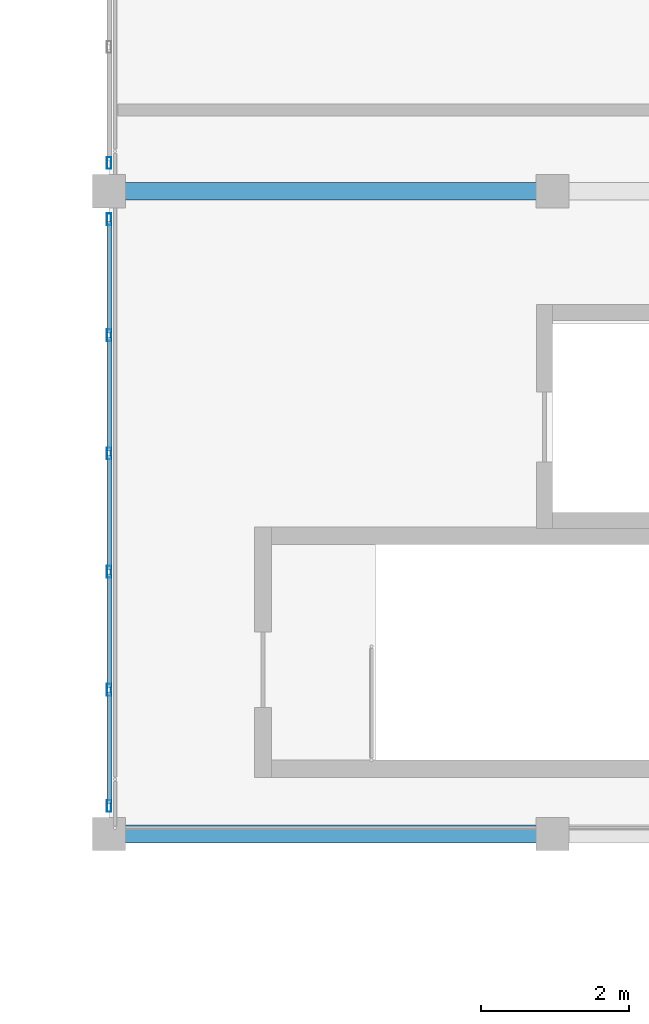
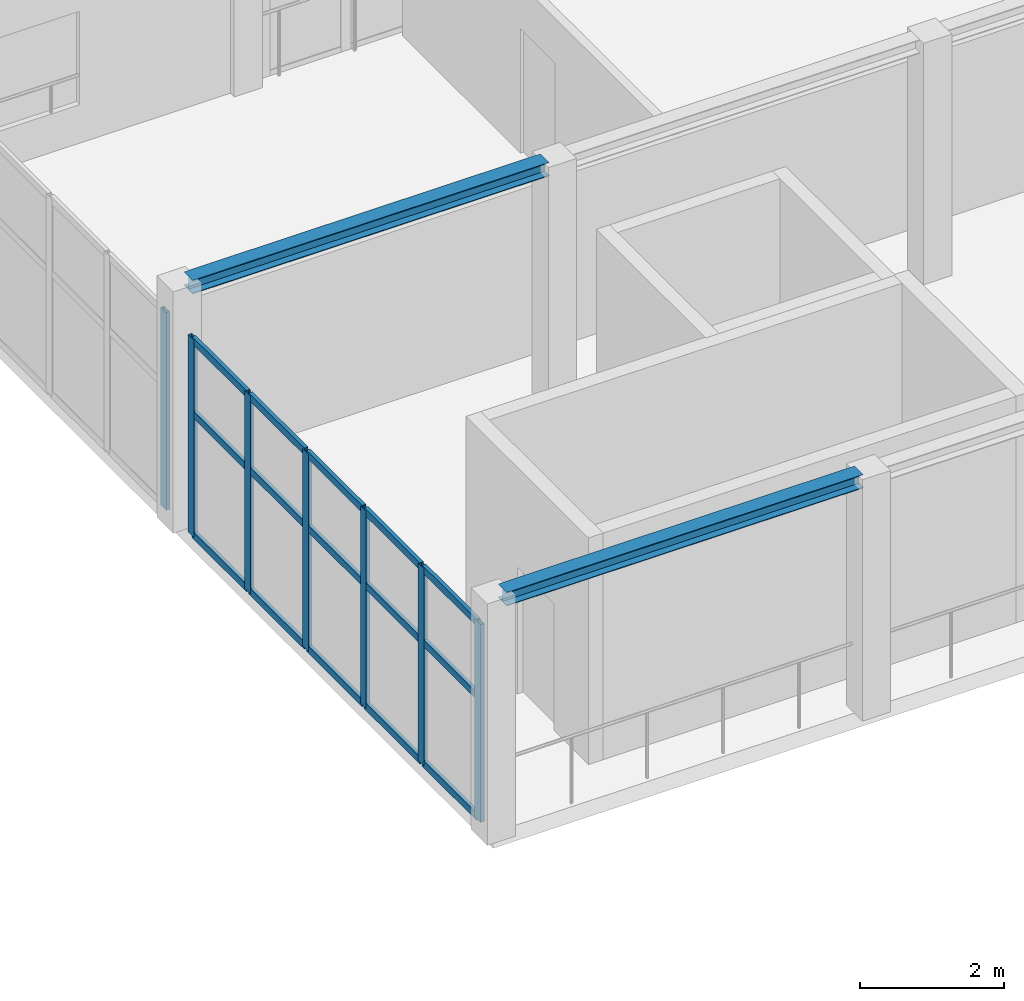
# One storey, part 45 of 128: 22 members, 2 beams, 2 elements without a shape of their own.
"""IFC4 building model written with IfcOpenShell, lengths in metres."""

from ifc_helpers import new_model, si_unit, direction, frame, origin, origin_2d, place, context, subcontext, project, spatial, hollow_rectangle, i_section, extrude, material, material_profile, profile_set, type_object, element, aggregate, save


model = new_model("IFC4")

# Units and contexts
model_context = context("Model", 3, precision=1e-05, world=origin(), true_north=direction((0.0, 1.0)))
body_context = subcontext(model_context, "Body", "Model", "MODEL_VIEW")
ifc_project = project(units=[si_unit("LENGTHUNIT", "METRE"), si_unit("AREAUNIT", "SQUARE_METRE"), si_unit("VOLUMEUNIT", "CUBIC_METRE"), si_unit("PLANEANGLEUNIT", "RADIAN"), si_unit("MASSUNIT", "GRAM", prefix="KILO")], contexts=[model_context])

# Site, building, storey
site_placement = place(None, origin())
site = spatial("IfcSite", under=ifc_project, at=site_placement, CompositionType="ELEMENT")
building_placement = place(site_placement, origin())
building = spatial("IfcBuilding", under=site, at=building_placement, Name="Tanwirah Colonnade Gardens", CompositionType="ELEMENT")
storey_placement = place(building_placement, frame((0.0, 0.0, 4.760009765625)))
storey = spatial("IfcBuildingStorey", under=building, at=storey_placement, Name="L01", CompositionType="ELEMENT", Elevation=4.760009765625)

# Curtain wall, members
ifc_material_1 = material(Name="Bronze-anodised aluminium and solar-control low-E glass", Category="aluminium")
curtain_wall_type = type_object("IfcCurtainWallType", Name="CW-NUR", PredefinedType="NOTDEFINED", material=ifc_material_1)
curtain_wall_1_placement = place(storey_placement, origin())
curtain_wall_1 = element("IfcCurtainWall", 1, at=curtain_wall_1_placement, inside=storey, type_object=curtain_wall_type, Name="Curtain Wall CW-NUR-L01-W-1", PredefinedType="NOTDEFINED")
ifc_material_2 = material(Name="Bronze-anodised aluminium", Category="aluminium")
ifc_material_profile_1 = material_profile(ifc_material_2, hollow_rectangle(XDim=0.06005859375, YDim=0.159912109375, WallThickness=0.00390625, at=origin_2d()), Name="CW-MUL 60x160x4")
ifc_profile_set_1 = profile_set([ifc_material_profile_1], Name="Bronze-anodised aluminium")
member_type_1 = type_object("IfcMemberType", Name="CWM-60x160", PredefinedType="MULLION", material=ifc_profile_set_1)
member_1_placement = place(storey_placement, frame((78.0, 92.3798828125, 0.0), z_axis=(0.0, 0.0, 1.0), x_axis=(-1.0, 0.0, 0.0)))
member_1 = element("IfcMember", 2, at=member_1_placement, type_object=member_type_1, Name="CW-NUR mullion 1", PredefinedType="MULLION", context=body_context, shape_type="SweptSolid", body=[
    extrude(hollow_rectangle(XDim=0.06005859375, YDim=0.159912109375, WallThickness=0.00390625, at=origin_2d()), origin(), (0.0, 0.0, 1.0), 3.340087890625),
])
member_2_placement = place(storey_placement, frame((78.0, 93.949951171875, 0.0), z_axis=(0.0, 0.0, 1.0), x_axis=(-1.0, 0.0, 0.0)))
member_2 = element("IfcMember", 3, at=member_2_placement, type_object=member_type_1, Name="CW-NUR mullion 2", PredefinedType="MULLION", context=body_context, shape_type="SweptSolid", body=[
    extrude(hollow_rectangle(XDim=0.06005859375, YDim=0.159912109375, WallThickness=0.00390625, at=origin_2d()), origin(), (0.0, 0.0, 1.0), 3.340087890625),
])
member_3_placement = place(storey_placement, frame((78.0, 95.550048828125, 0.0), z_axis=(0.0, 0.0, 1.0), x_axis=(-1.0, 0.0, 0.0)))
member_3 = element("IfcMember", 4, at=member_3_placement, type_object=member_type_1, Name="CW-NUR mullion 3", PredefinedType="MULLION", context=body_context, shape_type="SweptSolid", body=[
    extrude(hollow_rectangle(XDim=0.06005859375, YDim=0.159912109375, WallThickness=0.00390625, at=origin_2d()), origin(), (0.0, 0.0, 1.0), 3.340087890625),
])
member_4_placement = place(storey_placement, frame((78.0, 97.14990234375, 0.0), z_axis=(0.0, 0.0, 1.0), x_axis=(-1.0, 0.0, 0.0)))
member_4 = element("IfcMember", 5, at=member_4_placement, type_object=member_type_1, Name="CW-NUR mullion 4", PredefinedType="MULLION", context=body_context, shape_type="SweptSolid", body=[
    extrude(hollow_rectangle(XDim=0.06005859375, YDim=0.159912109375, WallThickness=0.00390625, at=origin_2d()), origin(), (0.0, 0.0, 1.0), 3.340087890625),
])
member_5_placement = place(storey_placement, frame((78.0, 98.75, 0.0), z_axis=(0.0, 0.0, 1.0), x_axis=(-1.0, 0.0, 0.0)))
member_5 = element("IfcMember", 6, at=member_5_placement, type_object=member_type_1, Name="CW-NUR mullion 5", PredefinedType="MULLION", context=body_context, shape_type="SweptSolid", body=[
    extrude(hollow_rectangle(XDim=0.06005859375, YDim=0.159912109375, WallThickness=0.00390625, at=origin_2d()), origin(), (0.0, 0.0, 1.0), 3.340087890625),
])
member_6_placement = place(storey_placement, frame((78.0, 100.320068359375, 0.0), z_axis=(0.0, 0.0, 1.0), x_axis=(-1.0, 0.0, 0.0)))
member_6 = element("IfcMember", 7, at=member_6_placement, type_object=member_type_1, Name="CW-NUR mullion 6", PredefinedType="MULLION", context=body_context, shape_type="SweptSolid", body=[
    extrude(hollow_rectangle(XDim=0.06005859375, YDim=0.159912109375, WallThickness=0.00390625, at=origin_2d()), origin(), (0.0, 0.0, 1.0), 3.340087890625),
])

# Curtain wall, member
curtain_wall_2_placement = place(storey_placement, origin())
curtain_wall_2 = element("IfcCurtainWall", 8, at=curtain_wall_2_placement, inside=storey, type_object=curtain_wall_type, Name="Curtain Wall CW-NUR-L01-W-2", PredefinedType="NOTDEFINED")
member_7_placement = place(storey_placement, frame((78.0, 101.080078125, 0.0), z_axis=(0.0, 0.0, 1.0), x_axis=(-1.0, 0.0, 0.0)))
member_7 = element("IfcMember", 9, at=member_7_placement, type_object=member_type_1, Name="CW-NUR mullion 1", PredefinedType="MULLION", context=body_context, shape_type="SweptSolid", body=[
    extrude(hollow_rectangle(XDim=0.06005859375, YDim=0.159912109375, WallThickness=0.00390625, at=origin_2d()), origin(), (0.0, 0.0, 1.0), 3.340087890625),
])
aggregate(curtain_wall_2, [member_7])

# Member
ifc_material_profile_2 = material_profile(ifc_material_2, hollow_rectangle(XDim=0.06005859375, YDim=0.1201171875, WallThickness=0.00390625, at=origin_2d()), Name="CW-TRN 60x120x4")
ifc_profile_set_2 = profile_set([ifc_material_profile_2], Name="Bronze-anodised aluminium")
member_type_2 = type_object("IfcMemberType", Name="CWT-60x120", PredefinedType="USERDEFINED", material=ifc_profile_set_2)
member_8_placement = place(storey_placement, frame((78.0, 92.409912109375, 0.030029296875), z_axis=(0.0, 1.0, 0.0), x_axis=(-1.0, 0.0, 0.0)))
member_8 = element("IfcMember", 10, at=member_8_placement, type_object=member_type_2, Name="CW-NUR transom 1.1", ObjectType="TRANSOM", PredefinedType="USERDEFINED", context=body_context, shape_type="SweptSolid", body=[
    extrude(hollow_rectangle(XDim=0.06005859375, YDim=0.1201171875, WallThickness=0.00390625, at=origin_2d()), origin(), (0.0, 0.0, 1.0), 1.510009765625),
])

member_9_placement = place(storey_placement, frame((78.0, 92.409912109375, 2.07080078125), z_axis=(0.0, 1.0, 0.0), x_axis=(-1.0, 0.0, 0.0)))
member_9 = element("IfcMember", 11, at=member_9_placement, type_object=member_type_2, Name="CW-NUR transom 1.2", ObjectType="TRANSOM", PredefinedType="USERDEFINED", context=body_context, shape_type="SweptSolid", body=[
    extrude(hollow_rectangle(XDim=0.06005859375, YDim=0.1201171875, WallThickness=0.00390625, at=origin_2d()), origin(), (0.0, 0.0, 1.0), 1.510009765625),
])

member_10_placement = place(storey_placement, frame((78.0, 92.409912109375, 3.31005859375), z_axis=(0.0, 1.0, 0.0), x_axis=(-1.0, 0.0, 0.0)))
member_10 = element("IfcMember", 12, at=member_10_placement, type_object=member_type_2, Name="CW-NUR transom 1.3", ObjectType="TRANSOM", PredefinedType="USERDEFINED", context=body_context, shape_type="SweptSolid", body=[
    extrude(hollow_rectangle(XDim=0.06005859375, YDim=0.1201171875, WallThickness=0.00390625, at=origin_2d()), origin(), (0.0, 0.0, 1.0), 1.510009765625),
])

member_11_placement = place(storey_placement, frame((78.0, 93.97998046875, 0.030029296875), z_axis=(0.0, 1.0, 0.0), x_axis=(-1.0, 0.0, 0.0)))
member_11 = element("IfcMember", 13, at=member_11_placement, type_object=member_type_2, Name="CW-NUR transom 2.1", ObjectType="TRANSOM", PredefinedType="USERDEFINED", context=body_context, shape_type="SweptSolid", body=[
    extrude(hollow_rectangle(XDim=0.06005859375, YDim=0.1201171875, WallThickness=0.00390625, at=origin_2d()), origin(), (0.0, 0.0, 1.0), 1.5400390625),
])

member_12_placement = place(storey_placement, frame((78.0, 93.97998046875, 2.07080078125), z_axis=(0.0, 1.0, 0.0), x_axis=(-1.0, 0.0, 0.0)))
member_12 = element("IfcMember", 14, at=member_12_placement, type_object=member_type_2, Name="CW-NUR transom 2.2", ObjectType="TRANSOM", PredefinedType="USERDEFINED", context=body_context, shape_type="SweptSolid", body=[
    extrude(hollow_rectangle(XDim=0.06005859375, YDim=0.1201171875, WallThickness=0.00390625, at=origin_2d()), origin(), (0.0, 0.0, 1.0), 1.5400390625),
])

member_13_placement = place(storey_placement, frame((78.0, 93.97998046875, 3.31005859375), z_axis=(0.0, 1.0, 0.0), x_axis=(-1.0, 0.0, 0.0)))
member_13 = element("IfcMember", 15, at=member_13_placement, type_object=member_type_2, Name="CW-NUR transom 2.3", ObjectType="TRANSOM", PredefinedType="USERDEFINED", context=body_context, shape_type="SweptSolid", body=[
    extrude(hollow_rectangle(XDim=0.06005859375, YDim=0.1201171875, WallThickness=0.00390625, at=origin_2d()), origin(), (0.0, 0.0, 1.0), 1.5400390625),
])

member_14_placement = place(storey_placement, frame((78.0, 95.580078125, 0.030029296875), z_axis=(0.0, 1.0, 0.0), x_axis=(-1.0, 0.0, 0.0)))
member_14 = element("IfcMember", 16, at=member_14_placement, type_object=member_type_2, Name="CW-NUR transom 3.1", ObjectType="TRANSOM", PredefinedType="USERDEFINED", context=body_context, shape_type="SweptSolid", body=[
    extrude(hollow_rectangle(XDim=0.06005859375, YDim=0.1201171875, WallThickness=0.00390625, at=origin_2d()), origin(), (0.0, 0.0, 1.0), 1.5400390625),
])

member_15_placement = place(storey_placement, frame((78.0, 95.580078125, 2.07080078125), z_axis=(0.0, 1.0, 0.0), x_axis=(-1.0, 0.0, 0.0)))
member_15 = element("IfcMember", 17, at=member_15_placement, type_object=member_type_2, Name="CW-NUR transom 3.2", ObjectType="TRANSOM", PredefinedType="USERDEFINED", context=body_context, shape_type="SweptSolid", body=[
    extrude(hollow_rectangle(XDim=0.06005859375, YDim=0.1201171875, WallThickness=0.00390625, at=origin_2d()), origin(), (0.0, 0.0, 1.0), 1.5400390625),
])

member_16_placement = place(storey_placement, frame((78.0, 95.580078125, 3.31005859375), z_axis=(0.0, 1.0, 0.0), x_axis=(-1.0, 0.0, 0.0)))
member_16 = element("IfcMember", 18, at=member_16_placement, type_object=member_type_2, Name="CW-NUR transom 3.3", ObjectType="TRANSOM", PredefinedType="USERDEFINED", context=body_context, shape_type="SweptSolid", body=[
    extrude(hollow_rectangle(XDim=0.06005859375, YDim=0.1201171875, WallThickness=0.00390625, at=origin_2d()), origin(), (0.0, 0.0, 1.0), 1.5400390625),
])

member_17_placement = place(storey_placement, frame((78.0, 97.179931640625, 0.030029296875), z_axis=(0.0, 1.0, 0.0), x_axis=(-1.0, 0.0, 0.0)))
member_17 = element("IfcMember", 19, at=member_17_placement, type_object=member_type_2, Name="CW-NUR transom 4.1", ObjectType="TRANSOM", PredefinedType="USERDEFINED", context=body_context, shape_type="SweptSolid", body=[
    extrude(hollow_rectangle(XDim=0.06005859375, YDim=0.1201171875, WallThickness=0.00390625, at=origin_2d()), origin(), (0.0, 0.0, 1.0), 1.5400390625),
])

member_18_placement = place(storey_placement, frame((78.0, 97.179931640625, 2.07080078125), z_axis=(0.0, 1.0, 0.0), x_axis=(-1.0, 0.0, 0.0)))
member_18 = element("IfcMember", 20, at=member_18_placement, type_object=member_type_2, Name="CW-NUR transom 4.2", ObjectType="TRANSOM", PredefinedType="USERDEFINED", context=body_context, shape_type="SweptSolid", body=[
    extrude(hollow_rectangle(XDim=0.06005859375, YDim=0.1201171875, WallThickness=0.00390625, at=origin_2d()), origin(), (0.0, 0.0, 1.0), 1.5400390625),
])

member_19_placement = place(storey_placement, frame((78.0, 97.179931640625, 3.31005859375), z_axis=(0.0, 1.0, 0.0), x_axis=(-1.0, 0.0, 0.0)))
member_19 = element("IfcMember", 21, at=member_19_placement, type_object=member_type_2, Name="CW-NUR transom 4.3", ObjectType="TRANSOM", PredefinedType="USERDEFINED", context=body_context, shape_type="SweptSolid", body=[
    extrude(hollow_rectangle(XDim=0.06005859375, YDim=0.1201171875, WallThickness=0.00390625, at=origin_2d()), origin(), (0.0, 0.0, 1.0), 1.5400390625),
])

member_20_placement = place(storey_placement, frame((78.0, 98.780029296875, 0.030029296875), z_axis=(0.0, 1.0, 0.0), x_axis=(-1.0, 0.0, 0.0)))
member_20 = element("IfcMember", 22, at=member_20_placement, type_object=member_type_2, Name="CW-NUR transom 5.1", ObjectType="TRANSOM", PredefinedType="USERDEFINED", context=body_context, shape_type="SweptSolid", body=[
    extrude(hollow_rectangle(XDim=0.06005859375, YDim=0.1201171875, WallThickness=0.00390625, at=origin_2d()), origin(), (0.0, 0.0, 1.0), 1.510009765625),
])

member_21_placement = place(storey_placement, frame((78.0, 98.780029296875, 2.07080078125), z_axis=(0.0, 1.0, 0.0), x_axis=(-1.0, 0.0, 0.0)))
member_21 = element("IfcMember", 23, at=member_21_placement, type_object=member_type_2, Name="CW-NUR transom 5.2", ObjectType="TRANSOM", PredefinedType="USERDEFINED", context=body_context, shape_type="SweptSolid", body=[
    extrude(hollow_rectangle(XDim=0.06005859375, YDim=0.1201171875, WallThickness=0.00390625, at=origin_2d()), origin(), (0.0, 0.0, 1.0), 1.510009765625),
])

member_22_placement = place(storey_placement, frame((78.0, 98.780029296875, 3.31005859375), z_axis=(0.0, 1.0, 0.0), x_axis=(-1.0, 0.0, 0.0)))
member_22 = element("IfcMember", 24, at=member_22_placement, type_object=member_type_2, Name="CW-NUR transom 5.3", ObjectType="TRANSOM", PredefinedType="USERDEFINED", context=body_context, shape_type="SweptSolid", body=[
    extrude(hollow_rectangle(XDim=0.06005859375, YDim=0.1201171875, WallThickness=0.00390625, at=origin_2d()), origin(), (0.0, 0.0, 1.0), 1.510009765625),
])

aggregate(curtain_wall_1, [member_1, member_2, member_3, member_4, member_5, member_6, member_8, member_9, member_10, member_11, member_12, member_13, member_14, member_15, member_16, member_17, member_18, member_19, member_20, member_21, member_22])

# Beams
ifc_material_3 = material(Name="Steel S355", Category="steel")
ifc_material_profile_3 = material_profile(ifc_material_3, i_section(OverallWidth=0.239990234375, OverallDepth=0.22998046875, WebThickness=0.007568359375, FlangeThickness=0.011962890625, at=origin_2d()), Name="HEA 240")
ifc_profile_set_3 = profile_set([ifc_material_profile_3], Name="Steel S355")
beam_type = type_object("IfcBeamType", Name="SBM-HEA240", PredefinedType="BEAM", material=ifc_profile_set_3)
for number, where, z_axis, x_axis, name in (
    (25, (78.14990234375, 92.0, 3.965087890625), (1.0, 0.0, 0.0), (0.0, 1.0, 0.0), "Nursery L01 Beam X-0.0"),
    (26, (78.14990234375, 100.699951171875, 3.965087890625), (1.0, 0.0, 0.0), (0.0, 1.0, 0.0), "Nursery L01 Beam X-0.1"),
):
    element("IfcBeam", number, at=place(storey_placement, frame(where, z_axis=z_axis, x_axis=x_axis)), inside=storey, type_object=beam_type, Name=name, PredefinedType="BEAM", context=body_context, shape_type="SweptSolid", body=[
        extrude(i_section(OverallWidth=0.239990234375, OverallDepth=0.22998046875, WebThickness=0.007568359375, FlangeThickness=0.011962890625, at=origin_2d()), origin(), (0.0, 0.0, 1.0), 5.7001953125),
    ])

save(model, "model.ifc")
